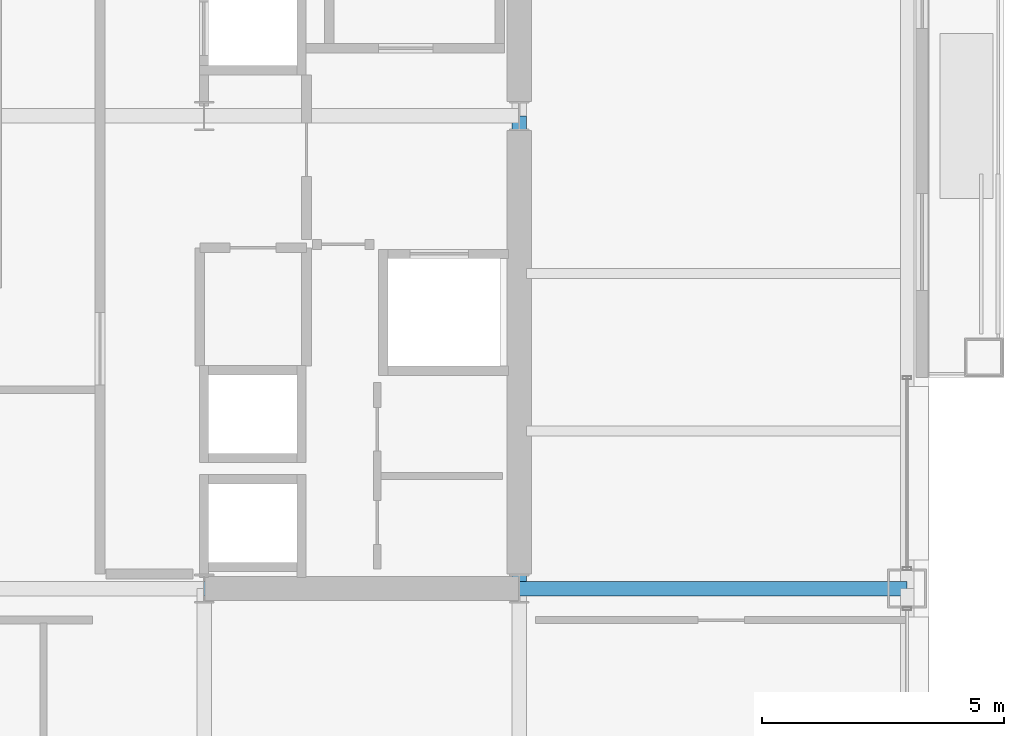
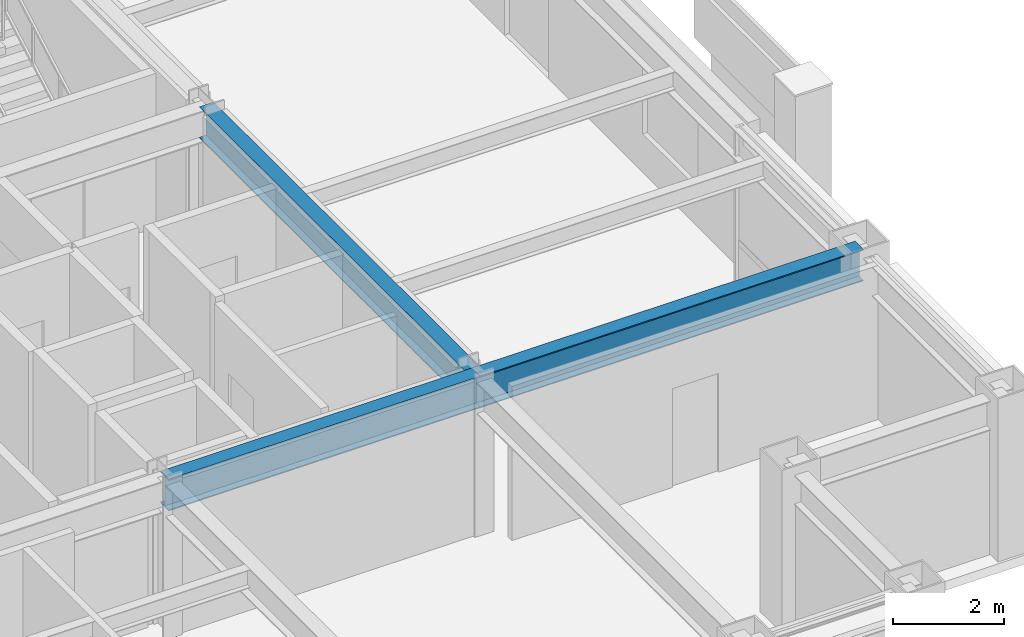
# One storey, part 13 of 29: 3 beams.
"""IFC4 building model written with IfcOpenShell, lengths in metres."""

from ifc_helpers import new_model, si_unit, direction, frame, origin, origin_2d, place, context, subcontext, project, spatial, i_section, extrude, material, material_profile, profile_set, type_object, element, save


model = new_model("IFC4")

# Units and contexts
model_context = context("Model", 3, precision=1e-05, world=origin(), true_north=direction((0.0, 1.0)))
body_context = subcontext(model_context, "Body", "Model", "MODEL_VIEW")
ifc_project = project(units=[si_unit("LENGTHUNIT", "METRE"), si_unit("AREAUNIT", "SQUARE_METRE"), si_unit("VOLUMEUNIT", "CUBIC_METRE"), si_unit("PLANEANGLEUNIT", "RADIAN"), si_unit("MASSUNIT", "GRAM", prefix="KILO")], contexts=[model_context])

# Site, building, storey
site_placement = place(None, origin())
site = spatial("IfcSite", under=ifc_project, at=site_placement, CompositionType="ELEMENT")
building_placement = place(site_placement, origin())
building = spatial("IfcBuilding", under=site, at=building_placement, Name="Brelmoor Portico Tower", CompositionType="ELEMENT")
storey_placement = place(building_placement, frame((0.0, 0.0, 135.0)))
storey = spatial("IfcBuildingStorey", under=building, at=storey_placement, Name="L35", CompositionType="ELEMENT", Elevation=135.0)

# Beams
ifc_material = material(Name="Steel Q355B", Category="steel")
ifc_material_profile = material_profile(ifc_material, i_section(OverallWidth=0.300048828125, OverallDepth=0.699951171875, WebThickness=0.012939453125, FlangeThickness=0.02392578125, at=origin_2d()), Name="HN 700x300x13x24")
ifc_profile_set = profile_set([ifc_material_profile], Name="Steel Q355B")
beam_type = type_object("IfcBeamType", Name="BM-PG-700", PredefinedType="BEAM", material=ifc_profile_set)
beam_1_placement = place(storey_placement, frame((14.550048828125, -9.75, 3.050048828125), z_axis=(0.0, 1.0, 0.0), x_axis=(-1.0, 0.0, 0.0)))
element("IfcBeam", 1, at=beam_1_placement, inside=storey, type_object=beam_type, Name="L35 Primary Floor Girder PG-11", PredefinedType="BEAM", context=body_context, shape_type="SweptSolid", body=[
    extrude(i_section(OverallWidth=0.300048828125, OverallDepth=0.699951171875, WebThickness=0.012939453125, FlangeThickness=0.02392578125, at=origin_2d()), origin(), (0.0, 0.0, 1.0), 9.75),
])
beam_2_placement = place(storey_placement, frame((8.050048828125, -9.75, 3.050048828125), z_axis=(1.0, 0.0, 0.0), x_axis=(0.0, 1.0, 0.0)))
element("IfcBeam", 2, at=beam_2_placement, inside=storey, type_object=beam_type, Name="L35 Primary Floor Girder PG-17", PredefinedType="BEAM", context=body_context, shape_type="SweptSolid", body=[
    extrude(i_section(OverallWidth=0.300048828125, OverallDepth=0.699951171875, WebThickness=0.012939453125, FlangeThickness=0.02392578125, at=origin_2d()), origin(), (0.0, 0.0, 1.0), 6.5),
])
beam_3_placement = place(storey_placement, frame((14.550048828125, -9.75, 3.050048828125), z_axis=(1.0, 0.0, 0.0), x_axis=(0.0, 1.0, 0.0)))
element("IfcBeam", 3, at=beam_3_placement, inside=storey, type_object=beam_type, Name="L35 Primary Floor Girder PG-18", PredefinedType="BEAM", context=body_context, shape_type="SweptSolid", body=[
    extrude(i_section(OverallWidth=0.300048828125, OverallDepth=0.699951171875, WebThickness=0.012939453125, FlangeThickness=0.02392578125, at=origin_2d()), origin(), (0.0, 0.0, 1.0), 8.0),
])

save(model, "model.ifc")
